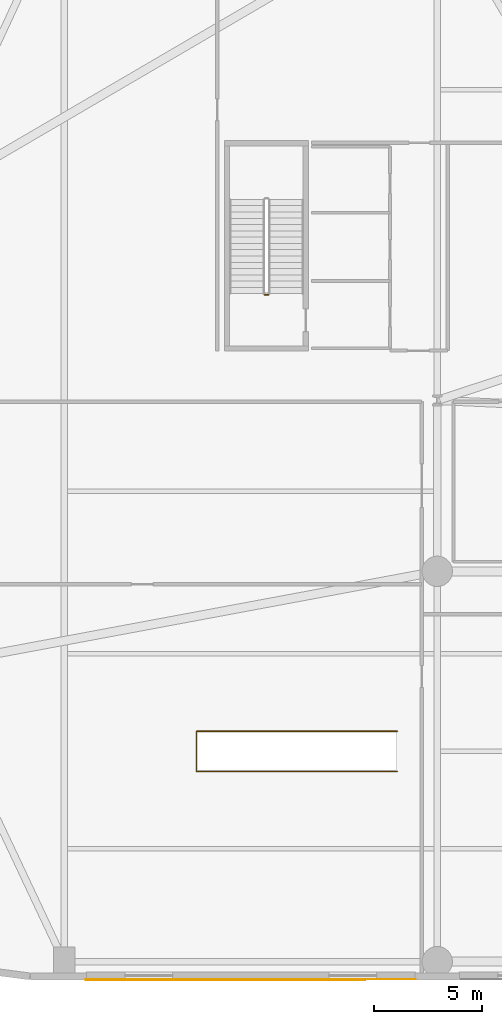
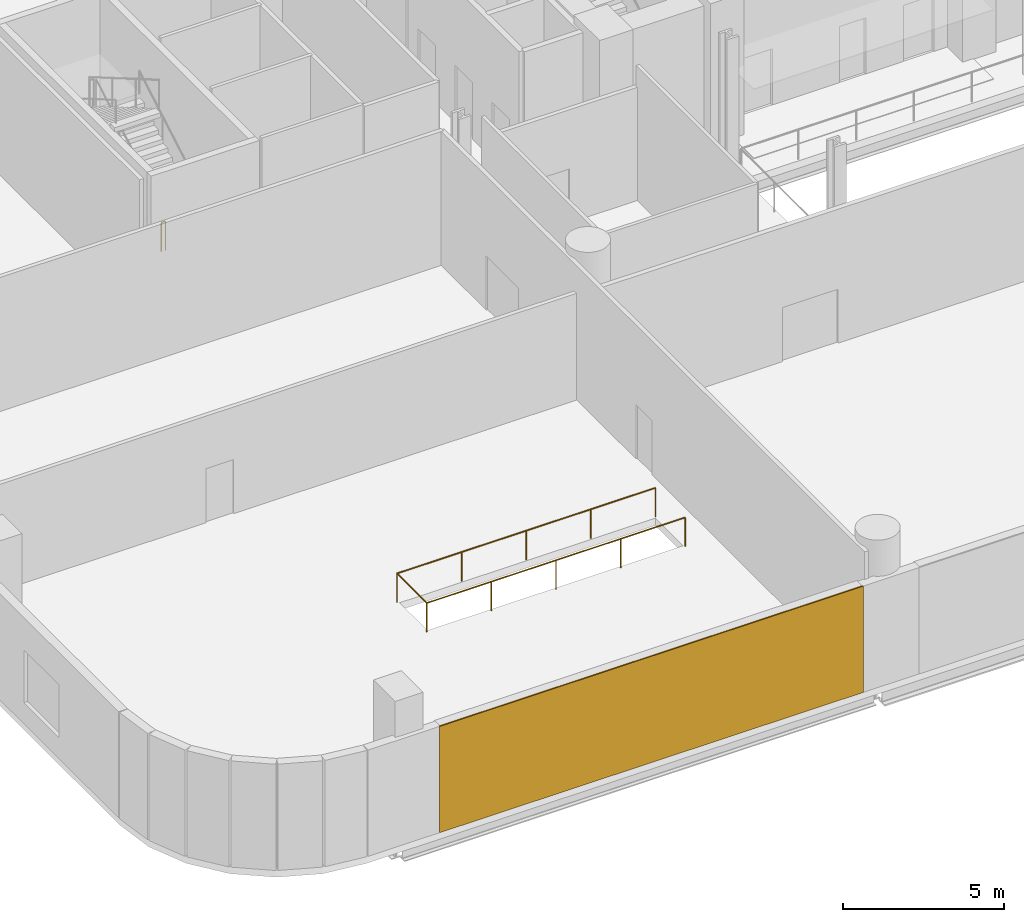
# One storey, part 26 of 31: 2 railings, 1 covering.
"""IFC4 building model written with IfcOpenShell, lengths in metres."""

import ifcopenshell
import ifcopenshell.guid

model = None  # the IFC model being written
_history = None  # IfcOwnerHistory: only IFC2X3 demands one
_inside = {}  # id of a spatial element -> (the spatial element, [elements in it])
_under = {}  # id of a project, library or spatial element -> (it, [spatial elements below it])
_declared = {}  # id of a project -> (the project, [libraries it declares])
_typed = {}  # id of a type object -> (the type object, [elements of that type])
_made_of = {}  # id of a material, layer set ... -> (it, [elements and type objects made of it])


def new_model(schema):
    """Start an empty IFC model of exactly this schema.

    Asked for "IFC4X3", IfcOpenShell would pick the latest addendum, in which some entities
    have other attributes; the version numbers below select the first issue.
    IFC2X3 requires an IfcOwnerHistory on every rooted entity: one is made here for all.
    """
    global model, _history
    if schema == "IFC4X3":
        model = ifcopenshell.file(schema_version=(4, 3, 0, 0))
    else:
        model = ifcopenshell.file(schema=schema)
    _inside.clear()
    _under.clear()
    _declared.clear()
    _typed.clear()
    _made_of.clear()
    _history = None
    if model.schema == "IFC2X3":
        org = make("IfcOrganization", Name="unknown")
        user = make(
            "IfcPersonAndOrganization",
            ThePerson=make("IfcPerson", FamilyName="unknown"),
            TheOrganization=org,
        )
        app = make(
            "IfcApplication",
            ApplicationDeveloper=org,
            Version="unknown",
            ApplicationFullName="unknown",
            ApplicationIdentifier="unknown",
        )
        _history = make(
            "IfcOwnerHistory",
            OwningUser=user,
            OwningApplication=app,
            ChangeAction="ADDED",
            CreationDate=0,
        )
    return model


def make(cls, **values):
    """One entity of the class cls with the attributes given. An attribute that is None is left unset."""
    return model.create_entity(
        cls, **{name: value for name, value in values.items() if value is not None}
    )


def rooted(cls, **values):
    """An entity with a GlobalId (a new one), such as an element, a storey or a relation."""
    return make(cls, GlobalId=ifcopenshell.guid.new(), OwnerHistory=_history, **values)


def si_unit(unit_type, name, prefix=None):
    """IfcSIUnit, for example si_unit("LENGTHUNIT", "METRE", prefix="MILLI")."""
    return make("IfcSIUnit", UnitType=unit_type, Prefix=prefix, Name=name)


def assignment(units):
    """IfcUnitAssignment: the units of a project."""
    return None if units is None else make("IfcUnitAssignment", Units=units)


def point(xyz):
    """IfcCartesianPoint."""
    return None if xyz is None else make("IfcCartesianPoint", Coordinates=xyz)


def direction(xyz):
    """IfcDirection."""
    return None if xyz is None else make("IfcDirection", DirectionRatios=xyz)


def frame(location, z_axis=None, x_axis=None):
    """IfcAxis2Placement3D, a coordinate frame: its origin and axes. An axis left out is left unset."""
    return make(
        "IfcAxis2Placement3D",
        Location=point(location),
        Axis=direction(z_axis),
        RefDirection=direction(x_axis),
    )


def frame_2d(location, x_axis=None):
    """IfcAxis2Placement2D, a coordinate frame in the plane: its origin and x axis."""
    return make(
        "IfcAxis2Placement2D", Location=point(location), RefDirection=direction(x_axis)
    )


def origin():
    """The frame at (0, 0, 0) with its axes left unset."""
    return frame((0.0, 0.0, 0.0))


def origin_2d():
    """The frame at (0, 0) in the plane with its x axis left unset."""
    return frame_2d((0.0, 0.0))


def place(relative_to, where):
    """IfcLocalPlacement: puts the frame where relative to a parent placement (None: the world)."""
    return make(
        "IfcLocalPlacement", PlacementRelTo=relative_to, RelativePlacement=where
    )


def context(
    kind, dimensions, precision=None, world=None, true_north=None, identifier=None
):
    """IfcGeometricRepresentationContext, for example the 3D "Model" context."""
    return make(
        "IfcGeometricRepresentationContext",
        ContextIdentifier=identifier,
        ContextType=kind,
        CoordinateSpaceDimension=dimensions,
        Precision=precision,
        WorldCoordinateSystem=world,
        TrueNorth=true_north,
    )


def subcontext(parent, identifier, kind, view, scale=None):
    """IfcGeometricRepresentationSubContext, for example "Body" below "Model"."""
    return make(
        "IfcGeometricRepresentationSubContext",
        ContextIdentifier=identifier,
        ContextType=kind,
        ParentContext=parent,
        TargetScale=scale,
        TargetView=view,
    )


def project(units=None, contexts=None):
    """IfcProject with its units and contexts."""
    return rooted(
        "IfcProject",
        Name="project",
        RepresentationContexts=contexts,
        UnitsInContext=assignment(units),
    )


def spatial(cls, under=None, at=None, **own):
    """A site, building, storey or space (cls), placed at a placement, below another one or the project."""
    s = rooted(cls, ObjectPlacement=at, **own)
    if under is not None:
        _under.setdefault(under.id(), (under, []))[1].append(s)
    return s


def profile(cls, at=None, kind="AREA", **sizes):
    """A parametric profile (cls). Its sizes go by their IFC names, for example OverallWidth=200.0."""
    return make(cls, ProfileType=kind, Position=at, **sizes)


def rectangle(**sizes):
    """IfcRectangleProfileDef."""
    return profile("IfcRectangleProfileDef", **sizes)


def circle(**sizes):
    """IfcCircleProfileDef."""
    return profile("IfcCircleProfileDef", **sizes)


def extrude(swept, where, along, depth):
    """IfcExtrudedAreaSolid: the profile swept, set in the frame where, extruded along a direction by depth."""
    return make(
        "IfcExtrudedAreaSolid",
        SweptArea=swept,
        Position=where,
        ExtrudedDirection=direction(along),
        Depth=depth,
    )


def shape(context_of_items, identifier, shape_type, items):
    """IfcShapeRepresentation: the items that make up one representation, for example the "Body"."""
    return make(
        "IfcShapeRepresentation",
        ContextOfItems=context_of_items,
        RepresentationIdentifier=identifier,
        RepresentationType=shape_type,
        Items=items,
    )


def source(mapping_origin, context_of_items, identifier, shape_type, items):
    """IfcRepresentationMap: a shape defined once, which mapped items show again and again."""
    return make(
        "IfcRepresentationMap",
        MappingOrigin=mapping_origin,
        MappedRepresentation=shape(context_of_items, identifier, shape_type, items),
    )


def transform(
    local_origin,
    x_axis=None,
    y_axis=None,
    z_axis=None,
    scale=None,
    scale2=None,
    scale3=None,
    uniform=True,
):
    """IfcCartesianTransformationOperator3D, or its non-uniform kind. x_axis, y_axis, z_axis: its Axis1, 2, 3."""
    if uniform:
        return make(
            "IfcCartesianTransformationOperator3D",
            Axis1=direction(x_axis),
            Axis2=direction(y_axis),
            LocalOrigin=point(local_origin),
            Scale=scale,
            Axis3=direction(z_axis),
        )
    return make(
        "IfcCartesianTransformationOperator3DnonUniform",
        Axis1=direction(x_axis),
        Axis2=direction(y_axis),
        LocalOrigin=point(local_origin),
        Scale=scale,
        Axis3=direction(z_axis),
        Scale2=scale2,
        Scale3=scale3,
    )


def mapped(mapping_source, mapping_target):
    """IfcMappedItem: shows the shape of a source again, moved by a transform."""
    return make(
        "IfcMappedItem", MappingSource=mapping_source, MappingTarget=mapping_target
    )


def material(Name=None, Category=None):
    """IfcMaterial."""
    return make("IfcMaterial", Name=Name, Category=Category)


def layer(
    of_material, thickness, ventilated=None, Name=None, Category=None, Priority=None
):
    """IfcMaterialLayer: one layer of a wall or slab, of a material (None: an air gap)."""
    return make(
        "IfcMaterialLayer",
        Material=of_material,
        LayerThickness=thickness,
        IsVentilated=ventilated,
        Name=Name,
        Category=Category,
        Priority=Priority,
    )


def layer_set(layers, Name=None):
    """IfcMaterialLayerSet."""
    return make("IfcMaterialLayerSet", MaterialLayers=layers, LayerSetName=Name)


def made_of(thing, what):
    """Note that an element or type object is made of a material, layer set ...; save() writes the relation."""
    if what is not None:
        _made_of.setdefault(what.id(), (what, []))[1].append(thing)
    return thing


def type_object(cls, material=None, **own):
    """A type object (cls), such as IfcWallType, which elements share."""
    return made_of(rooted(cls, **own), material)


def element(
    cls,
    number,
    at=None,
    inside=None,
    cuts=None,
    type_object=None,
    material=None,
    context=None,
    identifier="Body",
    shape_type=None,
    held_by="IfcProductDefinitionShape",
    body=None,
    shapes=None,
    **own,
):
    """One element of the class cls, such as IfcWall. Its Tag is "e" and its number.

    at: its placement. inside: the storey or other place that contains it. cuts: it is an
    opening in that element (IfcRelVoidsElement). A single representation is given by context,
    identifier, shape_type and body (its items); several are given by shapes. held_by: the class
    of the entity that holds the representations. save() writes the other relations.
    """
    e = rooted(cls, Tag="e%d" % number, ObjectPlacement=at, **own)
    if body is not None:
        shapes = [shape(context, identifier, shape_type, body)]
    if shapes is not None:
        e.Representation = make(held_by, Representations=shapes)
    if inside is not None:
        _inside.setdefault(inside.id(), (inside, []))[1].append(e)
    if cuts is not None:
        rooted(
            "IfcRelVoidsElement", RelatingBuildingElement=cuts, RelatedOpeningElement=e
        )
    if type_object is not None:
        _typed.setdefault(type_object.id(), (type_object, []))[1].append(e)
    return made_of(e, material)


def aggregate(whole, parts):
    """IfcRelAggregates: a whole, such as a stair, and the parts it consists of."""
    return rooted("IfcRelAggregates", RelatingObject=whole, RelatedObjects=parts)


def save(model, path):
    """Write the relations noted so far, then the file.

    IfcRelAggregates (storeys below a building ...), IfcRelContainedInSpatialStructure (elements
    in a storey), IfcRelDefinesByType, IfcRelAssociatesMaterial and IfcRelDeclares: one each for
    every whole, place, type object, material and project.
    """
    for whole, parts in _under.values():
        aggregate(whole, parts)
    for where, things in _inside.values():
        rooted(
            "IfcRelContainedInSpatialStructure",
            RelatedElements=things,
            RelatingStructure=where,
        )
    for kind, things in _typed.values():
        rooted("IfcRelDefinesByType", RelatedObjects=things, RelatingType=kind)
    for what, things in _made_of.values():
        rooted("IfcRelAssociatesMaterial", RelatedObjects=things, RelatingMaterial=what)
    for by, libraries in _declared.values():
        rooted("IfcRelDeclares", RelatingContext=by, RelatedDefinitions=libraries)
    model.write(path)


model = new_model("IFC4")

# Units and contexts
model_context = context("Model", 3, precision=1e-05, world=origin(), true_north=direction((0.0, 1.0)))
body_context = subcontext(model_context, "Body", "Model", "MODEL_VIEW")
ifc_project = project(units=[si_unit("LENGTHUNIT", "METRE"), si_unit("AREAUNIT", "SQUARE_METRE"), si_unit("VOLUMEUNIT", "CUBIC_METRE"), si_unit("PLANEANGLEUNIT", "RADIAN"), si_unit("MASSUNIT", "GRAM", prefix="KILO")], contexts=[model_context])

# Site, building, storey
site_placement = place(None, origin())
site = spatial("IfcSite", under=ifc_project, at=site_placement, CompositionType="ELEMENT")
building_placement = place(site_placement, origin())
building = spatial("IfcBuilding", under=site, at=building_placement, Name="Varnelok Gate Tower", CompositionType="ELEMENT")
storey_placement = place(building_placement, frame((0.0, 0.0, 16.199951171875)))
storey = spatial("IfcBuildingStorey", under=building, at=storey_placement, Name="L03", CompositionType="ELEMENT", Elevation=16.199951171875)

# Railings
ifc_material_1 = material(Name="Galvanized Steel Grade S350GD", Category="steel")
railing_type = type_object("IfcRailingType", Name="RL-STAIR-GUARD1120", PredefinedType="GUARDRAIL", material=ifc_material_1)
railing_1_placement = place(storey_placement, frame((16.60009765625, 31.550048828125, 0.0)))
element("IfcRailing", 1, at=railing_1_placement, inside=storey, type_object=railing_type, Name="L03 ST-3 stair guard 4", PredefinedType="GUARDRAIL", context=body_context, shape_type="SweptSolid", body=[
    extrude(circle(Radius=0.02392578125, at=origin_2d()), frame((0.0, 0.0, 1.09619140625), z_axis=(-1.0, 0.0, 0.0), x_axis=(0.0, -1.0, 0.0)), (0.0, 0.0, 1.0), 0.150146484375),
    extrude(circle(Radius=0.02099609375, at=origin_2d()), origin(), (0.0, 0.0, 1.0), 1.072021484375),
    extrude(circle(Radius=0.02099609375, at=origin_2d()), frame((-0.150146484375, 0.0, 0.0)), (0.0, 0.0, 1.0), 1.072021484375),
])
railing_2_placement = place(storey_placement, frame((22.56005859375, 9.574951171875, 0.0)))
element("IfcRailing", 2, at=railing_2_placement, inside=storey, type_object=railing_type, Name="L03 Stair ST-4 Well Guardrail", PredefinedType="GUARDRAIL", context=body_context, shape_type="SweptSolid", body=[
    extrude(circle(Radius=0.02392578125, at=origin_2d()), frame((0.0, 0.0, 1.09619140625), z_axis=(-1.0, 0.0, 0.0), x_axis=(0.0, -1.0, 0.0)), (0.0, 0.0, 1.0), 9.27001953125),
    extrude(circle(Radius=0.02392578125, at=origin_2d()), frame((-9.27001953125, 0.0, 1.09619140625), z_axis=(0.0, 1.0, 0.0), x_axis=(-1.0, 0.0, 0.0)), (0.0, 0.0, 1.0), 1.85009765625),
    extrude(circle(Radius=0.02392578125, at=origin_2d()), frame((-9.27001953125, 1.85009765625, 1.09619140625), z_axis=(1.0, 0.0, 0.0), x_axis=(0.0, 1.0, 0.0)), (0.0, 0.0, 1.0), 9.27001953125),
    extrude(circle(Radius=0.02099609375, at=origin_2d()), origin(), (0.0, 0.0, 1.0), 1.072021484375),
    extrude(circle(Radius=0.02099609375, at=origin_2d()), frame((-2.3173828125, 0.0, 0.0)), (0.0, 0.0, 1.0), 1.072021484375),
    extrude(circle(Radius=0.02099609375, at=origin_2d()), frame((-4.635009765625, 0.0, 0.0)), (0.0, 0.0, 1.0), 1.072021484375),
    extrude(circle(Radius=0.02099609375, at=origin_2d()), frame((-6.95263671875, 0.0, 0.0)), (0.0, 0.0, 1.0), 1.072021484375),
    extrude(circle(Radius=0.02099609375, at=origin_2d()), frame((-9.27001953125, 0.0, 0.0)), (0.0, 0.0, 1.0), 1.072021484375),
    extrude(circle(Radius=0.02099609375, at=origin_2d()), frame((-9.27001953125, 1.85009765625, 0.0)), (0.0, 0.0, 1.0), 1.072021484375),
    extrude(circle(Radius=0.02099609375, at=origin_2d()), frame((-6.95263671875, 1.85009765625, 0.0)), (0.0, 0.0, 1.0), 1.072021484375),
    extrude(circle(Radius=0.02099609375, at=origin_2d()), frame((-4.635009765625, 1.85009765625, 0.0)), (0.0, 0.0, 1.0), 1.072021484375),
    extrude(circle(Radius=0.02099609375, at=origin_2d()), frame((-2.3173828125, 1.85009765625, 0.0)), (0.0, 0.0, 1.0), 1.072021484375),
    extrude(circle(Radius=0.02099609375, at=origin_2d()), frame((0.0, 1.85009765625, 0.0)), (0.0, 0.0, 1.0), 1.072021484375),
])

# Covering
ifc_material_2 = material(Name="Glazed Architectural Terracotta Ceramic", Category="masonry")
ifc_layer = layer(ifc_material_2, 0.044921875)
ifc_layer_set = layer_set([ifc_layer], Name="Glazed Architectural Terracotta Ceramic")
covering_type = type_object("IfcCoveringType", Name="COV-TERRA-CLAD", PredefinedType="CLADDING", material=ifc_layer_set)
shared_shape = source(origin(), body_context, "Body", "SweptSolid", [
    extrude(rectangle(XDim=15.199951171875, YDim=0.044921875, at=origin_2d()), origin(), (0.0, 0.0, 1.0), 4.030029296875),
])
covering_placement = place(storey_placement, frame((15.800048828125, -0.02197265625, 0.0), z_axis=(0.0, 0.0, 1.0), x_axis=(1.0, 0.0, 0.0)))
element("IfcCovering", 3, at=covering_placement, inside=storey, type_object=covering_type, Name="L03 Terracotta Arch Rainscreen Cladding S1", PredefinedType="CLADDING", context=body_context, shape_type="MappedRepresentation", body=[
    mapped(shared_shape, transform((0.0, 0.0, 0.0), scale=1.0)),
])

save(model, "model.ifc")
